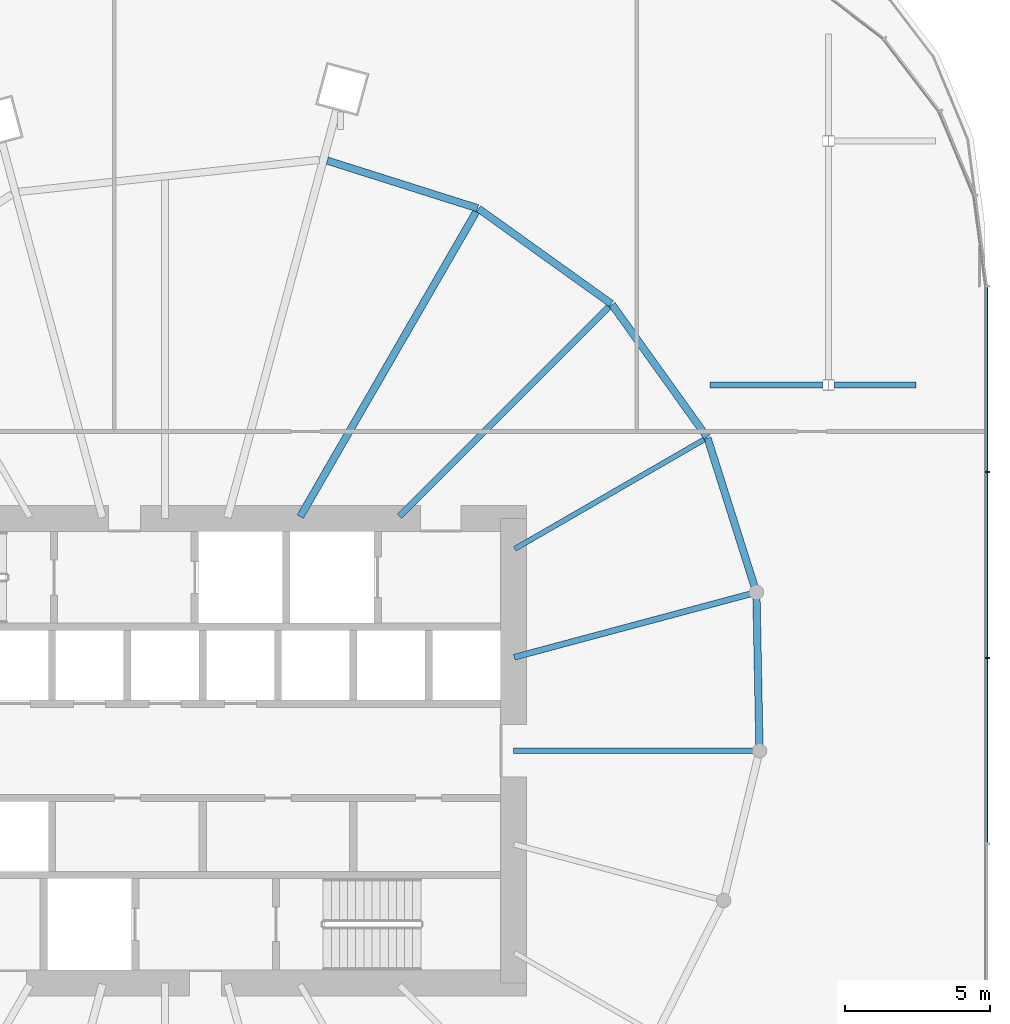
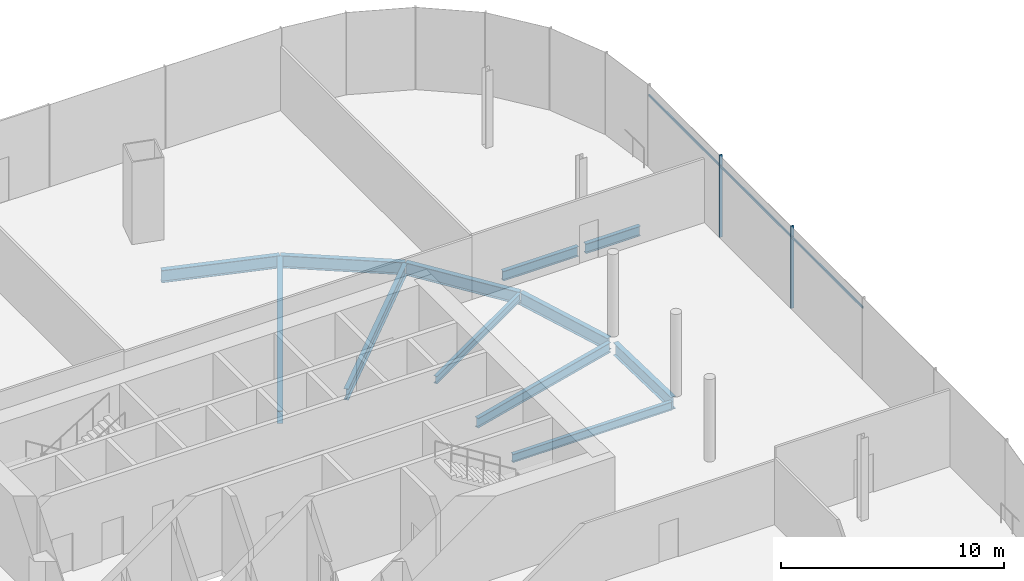
# One storey, part 29 of 52: 12 beams, 5 members, 1 element without a shape of its own.
"""IFC4 building model written with IfcOpenShell, lengths in metres."""

import ifcopenshell
import ifcopenshell.guid

model = None  # the IFC model being written
_history = None  # IfcOwnerHistory: only IFC2X3 demands one
_inside = {}  # id of a spatial element -> (the spatial element, [elements in it])
_under = {}  # id of a project, library or spatial element -> (it, [spatial elements below it])
_declared = {}  # id of a project -> (the project, [libraries it declares])
_typed = {}  # id of a type object -> (the type object, [elements of that type])
_made_of = {}  # id of a material, layer set ... -> (it, [elements and type objects made of it])


def new_model(schema):
    """Start an empty IFC model of exactly this schema.

    Asked for "IFC4X3", IfcOpenShell would pick the latest addendum, in which some entities
    have other attributes; the version numbers below select the first issue.
    IFC2X3 requires an IfcOwnerHistory on every rooted entity: one is made here for all.
    """
    global model, _history
    if schema == "IFC4X3":
        model = ifcopenshell.file(schema_version=(4, 3, 0, 0))
    else:
        model = ifcopenshell.file(schema=schema)
    _inside.clear()
    _under.clear()
    _declared.clear()
    _typed.clear()
    _made_of.clear()
    _history = None
    if model.schema == "IFC2X3":
        org = make("IfcOrganization", Name="unknown")
        user = make(
            "IfcPersonAndOrganization",
            ThePerson=make("IfcPerson", FamilyName="unknown"),
            TheOrganization=org,
        )
        app = make(
            "IfcApplication",
            ApplicationDeveloper=org,
            Version="unknown",
            ApplicationFullName="unknown",
            ApplicationIdentifier="unknown",
        )
        _history = make(
            "IfcOwnerHistory",
            OwningUser=user,
            OwningApplication=app,
            ChangeAction="ADDED",
            CreationDate=0,
        )
    return model


def make(cls, **values):
    """One entity of the class cls with the attributes given. An attribute that is None is left unset."""
    return model.create_entity(
        cls, **{name: value for name, value in values.items() if value is not None}
    )


def rooted(cls, **values):
    """An entity with a GlobalId (a new one), such as an element, a storey or a relation."""
    return make(cls, GlobalId=ifcopenshell.guid.new(), OwnerHistory=_history, **values)


def si_unit(unit_type, name, prefix=None):
    """IfcSIUnit, for example si_unit("LENGTHUNIT", "METRE", prefix="MILLI")."""
    return make("IfcSIUnit", UnitType=unit_type, Prefix=prefix, Name=name)


def assignment(units):
    """IfcUnitAssignment: the units of a project."""
    return None if units is None else make("IfcUnitAssignment", Units=units)


def point(xyz):
    """IfcCartesianPoint."""
    return None if xyz is None else make("IfcCartesianPoint", Coordinates=xyz)


def direction(xyz):
    """IfcDirection."""
    return None if xyz is None else make("IfcDirection", DirectionRatios=xyz)


def frame(location, z_axis=None, x_axis=None):
    """IfcAxis2Placement3D, a coordinate frame: its origin and axes. An axis left out is left unset."""
    return make(
        "IfcAxis2Placement3D",
        Location=point(location),
        Axis=direction(z_axis),
        RefDirection=direction(x_axis),
    )


def frame_2d(location, x_axis=None):
    """IfcAxis2Placement2D, a coordinate frame in the plane: its origin and x axis."""
    return make(
        "IfcAxis2Placement2D", Location=point(location), RefDirection=direction(x_axis)
    )


def origin():
    """The frame at (0, 0, 0) with its axes left unset."""
    return frame((0.0, 0.0, 0.0))


def origin_2d():
    """The frame at (0, 0) in the plane with its x axis left unset."""
    return frame_2d((0.0, 0.0))


def place(relative_to, where):
    """IfcLocalPlacement: puts the frame where relative to a parent placement (None: the world)."""
    return make(
        "IfcLocalPlacement", PlacementRelTo=relative_to, RelativePlacement=where
    )


def context(
    kind, dimensions, precision=None, world=None, true_north=None, identifier=None
):
    """IfcGeometricRepresentationContext, for example the 3D "Model" context."""
    return make(
        "IfcGeometricRepresentationContext",
        ContextIdentifier=identifier,
        ContextType=kind,
        CoordinateSpaceDimension=dimensions,
        Precision=precision,
        WorldCoordinateSystem=world,
        TrueNorth=true_north,
    )


def subcontext(parent, identifier, kind, view, scale=None):
    """IfcGeometricRepresentationSubContext, for example "Body" below "Model"."""
    return make(
        "IfcGeometricRepresentationSubContext",
        ContextIdentifier=identifier,
        ContextType=kind,
        ParentContext=parent,
        TargetScale=scale,
        TargetView=view,
    )


def project(units=None, contexts=None):
    """IfcProject with its units and contexts."""
    return rooted(
        "IfcProject",
        Name="project",
        RepresentationContexts=contexts,
        UnitsInContext=assignment(units),
    )


def spatial(cls, under=None, at=None, **own):
    """A site, building, storey or space (cls), placed at a placement, below another one or the project."""
    s = rooted(cls, ObjectPlacement=at, **own)
    if under is not None:
        _under.setdefault(under.id(), (under, []))[1].append(s)
    return s


def profile(cls, at=None, kind="AREA", **sizes):
    """A parametric profile (cls). Its sizes go by their IFC names, for example OverallWidth=200.0."""
    return make(cls, ProfileType=kind, Position=at, **sizes)


def rectangle(**sizes):
    """IfcRectangleProfileDef."""
    return profile("IfcRectangleProfileDef", **sizes)


def i_section(**sizes):
    """IfcIShapeProfileDef."""
    return profile("IfcIShapeProfileDef", **sizes)


def extrude(swept, where, along, depth):
    """IfcExtrudedAreaSolid: the profile swept, set in the frame where, extruded along a direction by depth."""
    return make(
        "IfcExtrudedAreaSolid",
        SweptArea=swept,
        Position=where,
        ExtrudedDirection=direction(along),
        Depth=depth,
    )


def shape(context_of_items, identifier, shape_type, items):
    """IfcShapeRepresentation: the items that make up one representation, for example the "Body"."""
    return make(
        "IfcShapeRepresentation",
        ContextOfItems=context_of_items,
        RepresentationIdentifier=identifier,
        RepresentationType=shape_type,
        Items=items,
    )


def material(Name=None, Category=None):
    """IfcMaterial."""
    return make("IfcMaterial", Name=Name, Category=Category)


def material_profile(
    of_material, cross_section, Name=None, Category=None, Priority=None
):
    """IfcMaterialProfile: a cross section and its material."""
    return make(
        "IfcMaterialProfile",
        Name=Name,
        Material=of_material,
        Profile=cross_section,
        Priority=Priority,
        Category=Category,
    )


def profile_set(profiles, Name=None, composite=None):
    """IfcMaterialProfileSet."""
    return make(
        "IfcMaterialProfileSet",
        Name=Name,
        MaterialProfiles=profiles,
        CompositeProfile=composite,
    )


def made_of(thing, what):
    """Note that an element or type object is made of a material, layer set ...; save() writes the relation."""
    if what is not None:
        _made_of.setdefault(what.id(), (what, []))[1].append(thing)
    return thing


def type_object(cls, material=None, **own):
    """A type object (cls), such as IfcWallType, which elements share."""
    return made_of(rooted(cls, **own), material)


def element(
    cls,
    number,
    at=None,
    inside=None,
    cuts=None,
    type_object=None,
    material=None,
    context=None,
    identifier="Body",
    shape_type=None,
    held_by="IfcProductDefinitionShape",
    body=None,
    shapes=None,
    **own,
):
    """One element of the class cls, such as IfcWall. Its Tag is "e" and its number.

    at: its placement. inside: the storey or other place that contains it. cuts: it is an
    opening in that element (IfcRelVoidsElement). A single representation is given by context,
    identifier, shape_type and body (its items); several are given by shapes. held_by: the class
    of the entity that holds the representations. save() writes the other relations.
    """
    e = rooted(cls, Tag="e%d" % number, ObjectPlacement=at, **own)
    if body is not None:
        shapes = [shape(context, identifier, shape_type, body)]
    if shapes is not None:
        e.Representation = make(held_by, Representations=shapes)
    if inside is not None:
        _inside.setdefault(inside.id(), (inside, []))[1].append(e)
    if cuts is not None:
        rooted(
            "IfcRelVoidsElement", RelatingBuildingElement=cuts, RelatedOpeningElement=e
        )
    if type_object is not None:
        _typed.setdefault(type_object.id(), (type_object, []))[1].append(e)
    return made_of(e, material)


def aggregate(whole, parts):
    """IfcRelAggregates: a whole, such as a stair, and the parts it consists of."""
    return rooted("IfcRelAggregates", RelatingObject=whole, RelatedObjects=parts)


def save(model, path):
    """Write the relations noted so far, then the file.

    IfcRelAggregates (storeys below a building ...), IfcRelContainedInSpatialStructure (elements
    in a storey), IfcRelDefinesByType, IfcRelAssociatesMaterial and IfcRelDeclares: one each for
    every whole, place, type object, material and project.
    """
    for whole, parts in _under.values():
        aggregate(whole, parts)
    for where, things in _inside.values():
        rooted(
            "IfcRelContainedInSpatialStructure",
            RelatedElements=things,
            RelatingStructure=where,
        )
    for kind, things in _typed.values():
        rooted("IfcRelDefinesByType", RelatedObjects=things, RelatingType=kind)
    for what, things in _made_of.values():
        rooted("IfcRelAssociatesMaterial", RelatedObjects=things, RelatingMaterial=what)
    for by, libraries in _declared.values():
        rooted("IfcRelDeclares", RelatingContext=by, RelatedDefinitions=libraries)
    model.write(path)


model = new_model("IFC4")

# Units and contexts
model_context = context("Model", 3, precision=1e-05, world=origin(), true_north=direction((0.0, 1.0)))
body_context = subcontext(model_context, "Body", "Model", "MODEL_VIEW")
ifc_project = project(units=[si_unit("LENGTHUNIT", "METRE"), si_unit("AREAUNIT", "SQUARE_METRE"), si_unit("VOLUMEUNIT", "CUBIC_METRE"), si_unit("PLANEANGLEUNIT", "RADIAN"), si_unit("MASSUNIT", "GRAM", prefix="KILO")], contexts=[model_context])

# Site, building, storey
site_placement = place(None, origin())
site = spatial("IfcSite", under=ifc_project, at=site_placement, CompositionType="ELEMENT")
building_placement = place(site_placement, origin())
building = spatial("IfcBuilding", under=site, at=building_placement, Name="Rimbun Link Towers", CompositionType="ELEMENT")
storey_placement = place(building_placement, frame((0.0, 0.0, 21.0)))
storey = spatial("IfcBuildingStorey", under=building, at=storey_placement, Name="L04", CompositionType="ELEMENT", Elevation=21.0)

# Curtain wall, members
ifc_material_1 = material(Name="Aluminium 6063-T6 and low-iron glass", Category="aluminium")
curtain_wall_type = type_object("IfcCurtainWallType", Name="CW3 podium shopfront", PredefinedType="NOTDEFINED", material=ifc_material_1)
curtain_wall_placement = place(storey_placement, origin())
curtain_wall = element("IfcCurtainWall", 1, at=curtain_wall_placement, inside=storey, type_object=curtain_wall_type, Name="CW3 L04 PD", PredefinedType="NOTDEFINED")
ifc_material_2 = material(Name="Aluminium 6063-T6", Category="aluminium")
ifc_material_profile_1 = material_profile(ifc_material_2, rectangle(XDim=0.14990234375, YDim=0.06005859375, at=origin_2d()), Name="MULLION 60X150")
ifc_profile_set_1 = profile_set([ifc_material_profile_1], Name="Aluminium 6063-T6")
member_type_1 = type_object("IfcMemberType", Name="CW3 mullion 60X150", PredefinedType="MULLION", material=ifc_profile_set_1)
member_1_placement = place(storey_placement, frame((60.074951171875, 3.199951171875, 0.0), z_axis=(0.0, 0.0, 1.0), x_axis=(1.0, 0.0, 0.0)))
member_1 = element("IfcMember", 2, at=member_1_placement, type_object=member_type_1, Name="CW3 mullion", PredefinedType="MULLION", context=body_context, shape_type="SweptSolid", body=[
    extrude(rectangle(XDim=0.14990234375, YDim=0.06005859375, at=origin_2d()), origin(), (0.0, 0.0, 1.0), 4.5),
])
member_2_placement = place(storey_placement, frame((60.074951171875, 9.60009765625, 0.0), z_axis=(0.0, 0.0, 1.0), x_axis=(1.0, 0.0, 0.0)))
member_2 = element("IfcMember", 3, at=member_2_placement, type_object=member_type_1, Name="CW3 mullion", PredefinedType="MULLION", context=body_context, shape_type="SweptSolid", body=[
    extrude(rectangle(XDim=0.14990234375, YDim=0.06005859375, at=origin_2d()), origin(), (0.0, 0.0, 1.0), 4.5),
])
ifc_material_3 = material(Name="Aluminium 6063-T6", Category="aluminium")
ifc_material_profile_2 = material_profile(ifc_material_3, rectangle(XDim=0.06005859375, YDim=0.1201171875, at=origin_2d()), Name="TRANSOM 60X120")
ifc_profile_set_2 = profile_set([ifc_material_profile_2], Name="Aluminium 6063-T6")
member_type_2 = type_object("IfcMemberType", Name="CW3 transom 60X120", PredefinedType="USERDEFINED", material=ifc_profile_set_2)
member_3_placement = place(storey_placement, frame((60.053955078125, 3.169921875, 3.89990234375), z_axis=(0.0, -1.0, 0.0), x_axis=(1.0, 0.0, 0.0)))
member_3 = element("IfcMember", 4, at=member_3_placement, type_object=member_type_2, Name="CW3 transom", ObjectType="TRANSOM", PredefinedType="USERDEFINED", context=body_context, shape_type="SweptSolid", body=[
    extrude(rectangle(XDim=0.06005859375, YDim=0.1201171875, at=origin_2d()), origin(), (0.0, 0.0, 1.0), 6.33984375),
])
member_4_placement = place(storey_placement, frame((60.053955078125, 9.570068359375, 3.89990234375), z_axis=(0.0, -1.0, 0.0), x_axis=(1.0, 0.0, 0.0)))
member_4 = element("IfcMember", 5, at=member_4_placement, type_object=member_type_2, Name="CW3 transom", ObjectType="TRANSOM", PredefinedType="USERDEFINED", context=body_context, shape_type="SweptSolid", body=[
    extrude(rectangle(XDim=0.06005859375, YDim=0.1201171875, at=origin_2d()), origin(), (0.0, 0.0, 1.0), 6.340087890625),
])
member_5_placement = place(storey_placement, frame((60.053955078125, 15.969970703125, 3.89990234375), z_axis=(0.0, -1.0, 0.0), x_axis=(1.0, 0.0, 0.0)))
member_5 = element("IfcMember", 6, at=member_5_placement, type_object=member_type_2, Name="CW3 transom", ObjectType="TRANSOM", PredefinedType="USERDEFINED", context=body_context, shape_type="SweptSolid", body=[
    extrude(rectangle(XDim=0.06005859375, YDim=0.1201171875, at=origin_2d()), origin(), (0.0, 0.0, 1.0), 6.340087890625),
])
aggregate(curtain_wall, [member_1, member_2, member_3, member_4, member_5])

# Beams
ifc_material_4 = material(Name="Steel S355J2", Category="steel")
ifc_material_profile_3 = material_profile(ifc_material_4, i_section(OverallWidth=0.177978515625, OverallDepth=0.406494140625, WebThickness=0.0078125, FlangeThickness=0.0126953125, at=origin_2d()), Name="UB 406x178x60")
ifc_profile_set_3 = profile_set([ifc_material_profile_3], Name="Steel S355J2")
beam_type_1 = type_object("IfcBeamType", Name="UB 406x178x60", PredefinedType="BEAM", material=ifc_profile_set_3)
beam_1_placement = place(storey_placement, frame((43.79541015625, 6.954345703125, -0.503173828125), z_axis=(0.866023167905, 0.500003872636, 0.0), x_axis=(-0.500003872636, 0.866023167905, 0.0)))
element("IfcBeam", 7, at=beam_1_placement, inside=storey, type_object=beam_type_1, Name="Radial beam T2 L04 23", PredefinedType="BEAM", context=body_context, shape_type="SweptSolid", body=[
    extrude(i_section(OverallWidth=0.177978515625, OverallDepth=0.406494140625, WebThickness=0.0078125, FlangeThickness=0.0126953125, at=origin_2d()), origin(), (0.0, 0.0, 1.0), 7.53466796875),
])
ifc_material_5 = material(Name="Steel S355J2", Category="steel")
ifc_material_profile_4 = material_profile(ifc_material_5, i_section(OverallWidth=0.18994140625, OverallDepth=0.453369140625, WebThickness=0.008544921875, FlangeThickness=0.0126953125, at=origin_2d()), Name="UB 457x191x67")
ifc_profile_set_4 = profile_set([ifc_material_profile_4], Name="Steel S355J2")
beam_type_2 = type_object("IfcBeamType", Name="UB 457x191x67", PredefinedType="BEAM", material=ifc_profile_set_4)
beam_2_placement = place(storey_placement, frame((43.7509765625, 0.0, -0.526611328125), z_axis=(1.0, 0.0, 0.0), x_axis=(0.0, 1.0, 0.0)))
element("IfcBeam", 8, at=beam_2_placement, inside=storey, type_object=beam_type_2, Name="Radial beam T2 L04 21", PredefinedType="BEAM", context=body_context, shape_type="SweptSolid", body=[
    extrude(i_section(OverallWidth=0.18994140625, OverallDepth=0.453369140625, WebThickness=0.008544921875, FlangeThickness=0.0126953125, at=origin_2d()), origin(), (0.0, 0.0, 1.0), 8.243408203125),
])
ifc_material_6 = material(Name="Steel S355J2", Category="steel")
ifc_material_profile_5 = material_profile(ifc_material_6, i_section(OverallWidth=0.209228515625, OverallDepth=0.533203125, WebThickness=0.010009765625, FlangeThickness=0.015625, at=origin_2d()), Name="UB 533x210x92")
ifc_profile_set_5 = profile_set([ifc_material_profile_5], Name="Steel S355J2")
beam_type_3 = type_object("IfcBeamType", Name="UB 533x210x92", PredefinedType="BEAM", material=ifc_profile_set_5)
beam_3_placement = place(storey_placement, frame((43.778076171875, 3.222900390625, -0.56640625), z_axis=(0.965923668539, 0.258827097802, 0.0), x_axis=(-0.258827097802, 0.965923668539, 0.0)))
element("IfcBeam", 9, at=beam_3_placement, inside=storey, type_object=beam_type_3, Name="Radial beam T2 L04 22", PredefinedType="BEAM", context=body_context, shape_type="SweptSolid", body=[
    extrude(i_section(OverallWidth=0.209228515625, OverallDepth=0.533203125, WebThickness=0.010009765625, FlangeThickness=0.015625, at=origin_2d()), origin(), (0.0, 0.0, 1.0), 8.402587890625),
])
beam_4_placement = place(storey_placement, frame((50.5146484375, 12.60009765625, -0.56640625), z_axis=(1.0, 0.0, 0.0), x_axis=(0.0, 1.0, 0.0)))
element("IfcBeam", 10, at=beam_4_placement, inside=storey, type_object=beam_type_3, Name="Grid beam L04 +12.6", PredefinedType="BEAM", context=body_context, shape_type="SweptSolid", body=[
    extrude(i_section(OverallWidth=0.209228515625, OverallDepth=0.533203125, WebThickness=0.010009765625, FlangeThickness=0.015625, at=origin_2d()), origin(), (0.0, 0.0, 1.0), 3.900146484375),
])
beam_5_placement = place(storey_placement, frame((54.785400390625, 12.60009765625, -0.56640625), z_axis=(1.0, 0.0, 0.0), x_axis=(0.0, 1.0, 0.0)))
element("IfcBeam", 11, at=beam_5_placement, inside=storey, type_object=beam_type_3, Name="Grid beam L04 +12.6", PredefinedType="BEAM", context=body_context, shape_type="SweptSolid", body=[
    extrude(i_section(OverallWidth=0.209228515625, OverallDepth=0.533203125, WebThickness=0.010009765625, FlangeThickness=0.015625, at=origin_2d()), origin(), (0.0, 0.0, 1.0), 2.8291015625),
])
ifc_material_7 = material(Name="Steel S355J2", Category="steel")
ifc_material_profile_6 = material_profile(ifc_material_7, i_section(OverallWidth=0.2275390625, OverallDepth=0.6025390625, WebThickness=0.010498046875, FlangeThickness=0.014892578125, at=origin_2d()), Name="UB 610x229x101")
ifc_profile_set_6 = profile_set([ifc_material_profile_6], Name="Steel S355J2")
beam_type_4 = type_object("IfcBeamType", Name="UB 610x229x101", PredefinedType="BEAM", material=ifc_profile_set_6)
beam_6_placement = place(storey_placement, frame((39.831298828125, 8.081298828125, -0.601318359375), z_axis=(0.707106781187, 0.707106781187, 0.0), x_axis=(-0.707106781187, 0.707106781187, 0.0)))
element("IfcBeam", 12, at=beam_6_placement, inside=storey, type_object=beam_type_4, Name="Radial beam T2 L04 00", PredefinedType="BEAM", context=body_context, shape_type="SweptSolid", body=[
    extrude(i_section(OverallWidth=0.2275390625, OverallDepth=0.6025390625, WebThickness=0.010498046875, FlangeThickness=0.014892578125, at=origin_2d()), origin(), (0.0, 0.0, 1.0), 10.20263671875),
])
ifc_material_8 = material(Name="Steel S355J2", Category="steel")
ifc_material_profile_7 = material_profile(ifc_material_8, i_section(OverallWidth=0.253662109375, OverallDepth=0.68359375, WebThickness=0.012451171875, FlangeThickness=0.01904296875, at=origin_2d()), Name="UB 686x254x140")
ifc_profile_set_7 = profile_set([ifc_material_profile_7], Name="Steel S355J2")
beam_type_5 = type_object("IfcBeamType", Name="UB 686x254x140", PredefinedType="BEAM", material=ifc_profile_set_7)
beam_7_placement = place(storey_placement, frame((36.406005859375, 8.064208984375, -0.641845703125), z_axis=(0.499989563208, 0.866031429385, 0.0), x_axis=(-0.866031429385, 0.499989563208, 0.0)))
element("IfcBeam", 13, at=beam_7_placement, inside=storey, type_object=beam_type_5, Name="Radial beam T2 L04 01", PredefinedType="BEAM", context=body_context, shape_type="SweptSolid", body=[
    extrude(i_section(OverallWidth=0.253662109375, OverallDepth=0.68359375, WebThickness=0.012451171875, FlangeThickness=0.01904296875, at=origin_2d()), origin(), (0.0, 0.0, 1.0), 12.131591796875),
])
beam_8_placement = place(storey_placement, frame((47.118408203125, 15.39892578125, -0.641845703125), z_axis=(-0.81295433095, 0.582327447223, 0.0), x_axis=(-0.582327447223, -0.81295433095, 0.0)))
element("IfcBeam", 14, at=beam_8_placement, inside=storey, type_object=beam_type_5, Name="Edge beam T2 L04 00", PredefinedType="BEAM", context=body_context, shape_type="SweptSolid", body=[
    extrude(i_section(OverallWidth=0.253662109375, OverallDepth=0.68359375, WebThickness=0.012451171875, FlangeThickness=0.01904296875, at=origin_2d()), origin(), (0.0, 0.0, 1.0), 5.615966796875),
])
beam_9_placement = place(storey_placement, frame((42.515625, 18.687744140625, -0.641845703125), z_axis=(-0.953347835156, 0.301873988947, 0.0), x_axis=(-0.301873988947, -0.953347835156, 0.0)))
element("IfcBeam", 15, at=beam_9_placement, inside=storey, type_object=beam_type_5, Name="Edge beam T2 L04 01", PredefinedType="BEAM", context=body_context, shape_type="SweptSolid", body=[
    extrude(i_section(OverallWidth=0.253662109375, OverallDepth=0.68359375, WebThickness=0.012451171875, FlangeThickness=0.01904296875, at=origin_2d()), origin(), (0.0, 0.0, 1.0), 5.427490234375),
])
beam_10_placement = place(storey_placement, frame((52.22216796875, 0.220458984375, -0.641845703125), z_axis=(-0.01980243284, 0.999803912602, 0.0), x_axis=(-0.999803912602, -0.01980243284, 0.0)))
element("IfcBeam", 16, at=beam_10_placement, inside=storey, type_object=beam_type_5, Name="Edge beam T2 L04 21", PredefinedType="BEAM", context=body_context, shape_type="SweptSolid", body=[
    extrude(i_section(OverallWidth=0.253662109375, OverallDepth=0.68359375, WebThickness=0.012451171875, FlangeThickness=0.01904296875, at=origin_2d()), origin(), (0.0, 0.0, 1.0), 5.017822265625),
])
beam_11_placement = place(storey_placement, frame((52.052001953125, 5.66796875, -0.641845703125), z_axis=(-0.301891704694, 0.953342225351, 0.0), x_axis=(-0.953342225351, -0.301891704694, 0.0)))
element("IfcBeam", 17, at=beam_11_placement, inside=storey, type_object=beam_type_5, Name="Edge beam T2 L04 22", PredefinedType="BEAM", context=body_context, shape_type="SweptSolid", body=[
    extrude(i_section(OverallWidth=0.253662109375, OverallDepth=0.68359375, WebThickness=0.012451171875, FlangeThickness=0.01904296875, at=origin_2d()), origin(), (0.0, 0.0, 1.0), 5.34716796875),
])
beam_12_placement = place(storey_placement, frame((50.419189453125, 10.802978515625, -0.641845703125), z_axis=(-0.582327447223, 0.81295433095, 0.0), x_axis=(-0.81295433095, -0.582327447223, 0.0)))
element("IfcBeam", 18, at=beam_12_placement, inside=storey, type_object=beam_type_5, Name="Edge beam T2 L04 23", PredefinedType="BEAM", context=body_context, shape_type="SweptSolid", body=[
    extrude(i_section(OverallWidth=0.253662109375, OverallDepth=0.68359375, WebThickness=0.012451171875, FlangeThickness=0.01904296875, at=origin_2d()), origin(), (0.0, 0.0, 1.0), 5.615966796875),
])

save(model, "model.ifc")
